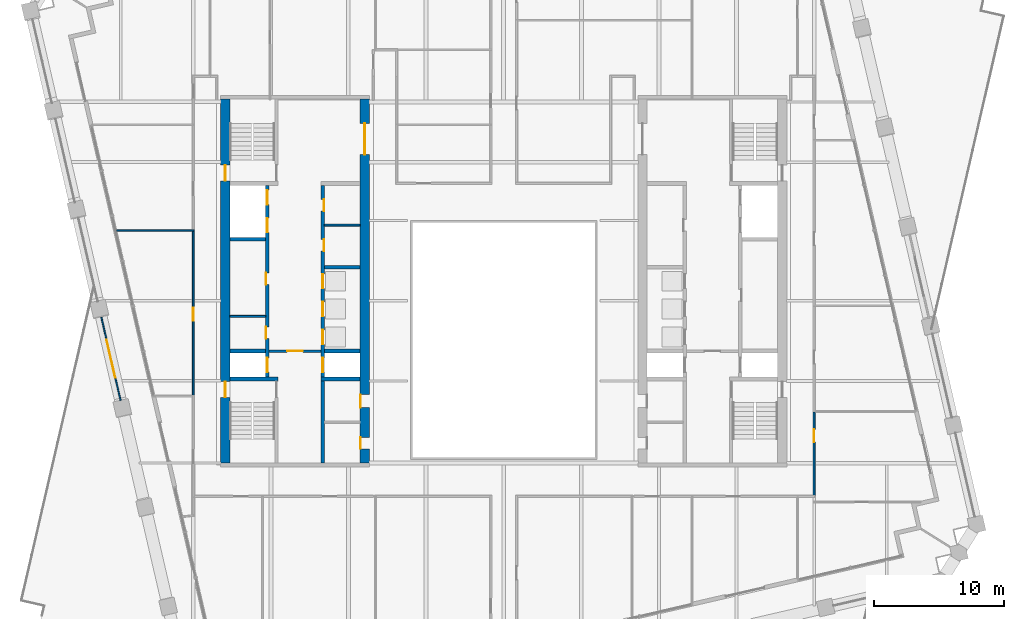
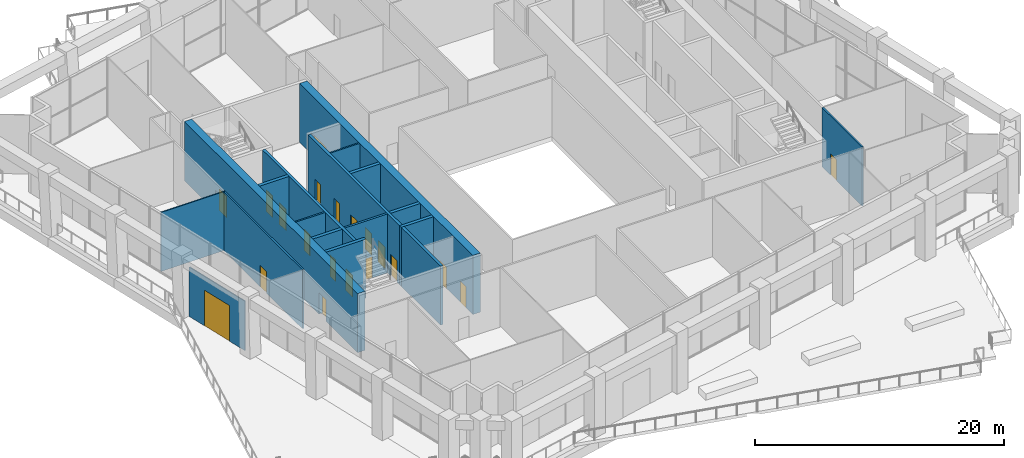
# One storey, part 13 of 24: 20 doors, 17 walls, 20 openings.
"""IFC4 building model written with IfcOpenShell, lengths in metres."""

from ifc_helpers import new_model, si_unit, direction, frame, frame_2d, origin, place, context, subcontext, project, spatial, rectangle, extrude, material, layer, layer_set, type_object, element, fill, save


model = new_model("IFC4")

# Units and contexts
model_context = context("Model", 3, precision=1e-05, world=origin(), true_north=direction((0.0, 1.0)))
body_context = subcontext(model_context, "Body", "Model", "MODEL_VIEW")
ifc_project = project(units=[si_unit("LENGTHUNIT", "METRE"), si_unit("AREAUNIT", "SQUARE_METRE"), si_unit("VOLUMEUNIT", "CUBIC_METRE"), si_unit("PLANEANGLEUNIT", "RADIAN"), si_unit("MASSUNIT", "GRAM", prefix="KILO")], contexts=[model_context])

# Site, building, storey
site_placement = place(None, origin())
site = spatial("IfcSite", under=ifc_project, at=site_placement, CompositionType="ELEMENT")
building_placement = place(site_placement, origin())
building = spatial("IfcBuilding", under=site, at=building_placement, Name="Ogive Exchange Tower", CompositionType="ELEMENT")
storey_placement = place(building_placement, frame((0.0, 0.0, 165.60009765625)))
storey = spatial("IfcBuildingStorey", under=building, at=storey_placement, Name="L36", CompositionType="ELEMENT", Elevation=165.60009765625)

# Walls
ifc_material_1 = material(Name="Gypsum board partition")
ifc_layer_1 = layer(ifc_material_1, 0.14990234375)
ifc_layer_set_1 = layer_set([ifc_layer_1], Name="Core room partition 150 gypsum")
wall_type_1 = type_object("IfcWallType", Name="Core room partition 150 gypsum", PredefinedType="PARTITIONING", material=ifc_layer_set_1)
for number, where, z_axis, x_axis, name in (
    (1, (-21.0, 8.800048828125, 0.0), (0.0, 0.0, 1.0), (1.0, 0.0, 0.0), "W row A bay partition 1-1"),
    (2, (-13.75, 15.800048828125, 0.0), (0.0, 0.0, 1.0), (1.0, 0.0, 0.0), "W row B bay partition 4-1"),
):
    element("IfcWall", number, at=place(storey_placement, frame(where, z_axis=z_axis, x_axis=x_axis)), inside=storey, type_object=wall_type_1, Name=name, PredefinedType="PARTITIONING", context=body_context, shape_type="SweptSolid", body=[
        extrude(rectangle(XDim=2.75, YDim=0.14990234375, at=frame_2d((1.375, 0.0))), origin(), (0.0, 0.0, 1.0), 5.7998046875),
    ])

# Wall, opening, door
ifc_material_2 = material(Name="Fire partition EI 60 150")
ifc_layer_2 = layer(ifc_material_2, 0.14990234375)
ifc_layer_set_2 = layer_set([ifc_layer_2], Name="Fire partition EI 60 150")
wall_type_2 = type_object("IfcWallType", Name="Fire partition EI 60 150", PredefinedType="PARTITIONING", material=ifc_layer_set_2)
wall_1_placement = place(storey_placement, frame((-23.800048828125, 2.68994140625, 0.0), z_axis=(0.0, 0.0, 1.0), x_axis=(0.0, 1.0, 0.0)))
wall_1 = element("IfcWall", 3, at=wall_1_placement, inside=storey, type_object=wall_type_2, Name="L36-PWL-006", PredefinedType="PARTITIONING", context=body_context, shape_type="SweptSolid", body=[
    extrude(rectangle(XDim=12.64013671875, YDim=0.14990234375, at=frame_2d((6.320068359375, 0.0))), origin(), (0.0, 0.0, 1.0), 5.7998046875),
])
opening_1_placement = place(wall_1_placement, frame((5.7900390625, 0.0, 0.0)))
opening_1 = element("IfcOpeningElement", 4, at=opening_1_placement, cuts=wall_1, Name="Opening L36-I01", PredefinedType="OPENING", context=body_context, shape_type="SweptSolid", body=[
    extrude(rectangle(XDim=1.0, YDim=2.10009765625, at=frame_2d((0.5, 1.050048828125))), frame((0.0, 0.0849609375, 0.0), z_axis=(0.0, -1.0, 0.0), x_axis=(1.0, 0.0, 0.0)), (0.0, 0.0, 1.0), 0.169921875),
])
ifc_material_3 = material(Name="Fire door FD 30S 1000 x 2100")
door_type_1 = type_object("IfcDoorType", Name="Fire door FD 30S 1000 x 2100", OperationType="NOTDEFINED", PredefinedType="DOOR", material=ifc_material_3)
door_1_placement = place(opening_1_placement, origin())
door_1 = element("IfcDoor", 5, at=door_1_placement, inside=storey, type_object=door_type_1, Name="L36-IDR-001", ObjectType="DT3", OperationType="SINGLE_SWING_LEFT", OverallHeight=2.10009765625, OverallWidth=1.0, PredefinedType="DOOR", context=body_context, shape_type="SweptSolid", body=[
    extrude(rectangle(XDim=1.0, YDim=2.10009765625, at=frame_2d((0.5, 1.050048828125))), frame((0.0, 0.02490234375, 0.0), z_axis=(0.0, -1.0, 0.0), x_axis=(1.0, 0.0, 0.0)), (0.0, 0.0, 1.0), 0.050048828125),
])
fill(opening_1, door_1)

wall_2_placement = place(storey_placement, frame((23.800048828125, 1.4599609375, 0.0), z_axis=(0.0, 0.0, 1.0), x_axis=(0.0, -1.0, 0.0)))
wall_2 = element("IfcWall", 6, at=wall_2_placement, inside=storey, type_object=wall_type_2, Name="L36-PWL-066", PredefinedType="PARTITIONING", context=body_context, shape_type="SweptSolid", body=[
    extrude(rectangle(XDim=6.385009765625, YDim=0.14990234375, at=frame_2d((3.1923828125, 0.0))), origin(), (0.0, 0.0, 1.0), 5.7998046875),
])
opening_2_placement = place(wall_2_placement, frame((1.31005859375, 0.0, 0.0)))
opening_2 = element("IfcOpeningElement", 7, at=opening_2_placement, cuts=wall_2, Name="Opening L36-I21", PredefinedType="OPENING", context=body_context, shape_type="SweptSolid", body=[
    extrude(rectangle(XDim=1.0, YDim=2.10009765625, at=frame_2d((0.5, 1.050048828125))), frame((0.0, 0.0849609375, 0.0), z_axis=(0.0, -1.0, 0.0), x_axis=(1.0, 0.0, 0.0)), (0.0, 0.0, 1.0), 0.169921875),
])
door_2_placement = place(opening_2_placement, origin())
door_2 = element("IfcDoor", 8, at=door_2_placement, inside=storey, type_object=door_type_1, Name="L36-IDR-021", ObjectType="DT3", OperationType="SINGLE_SWING_RIGHT", OverallHeight=2.10009765625, OverallWidth=1.0, PredefinedType="DOOR", context=body_context, shape_type="SweptSolid", body=[
    extrude(rectangle(XDim=1.0, YDim=2.10009765625, at=frame_2d((0.5, 1.050048828125))), frame((0.0, 0.02490234375, 0.0), z_axis=(0.0, -1.0, 0.0), x_axis=(1.0, 0.0, 0.0)), (0.0, 0.0, 1.0), 0.050048828125),
])
fill(opening_2, door_2)

ifc_material_4 = material(Name="Laminated safety glass in steel frame", Category="steel")
ifc_layer_3 = layer(ifc_material_4, 0.10009765625)
ifc_layer_set_3 = layer_set([ifc_layer_3], Name="Loggia end screen 100")
wall_type_3 = type_object("IfcWallType", Name="Loggia end screen 100", PredefinedType="STANDARD", material=ifc_layer_set_3)
wall_3_placement = place(storey_placement, frame((-30.845947265625, 8.744873046875, 0.0), z_axis=(0.0, 0.0, 1.0), x_axis=(0.224973663593, -0.974364844752, 0.0)))
wall_3 = element("IfcWall", 9, at=wall_3_placement, inside=storey, type_object=wall_type_3, Name="Terrace screen W03", PredefinedType="STANDARD", context=body_context, shape_type="SweptSolid", body=[
    extrude(rectangle(XDim=6.56005859375, YDim=0.10009765625, at=frame_2d((3.280029296875, 0.0))), origin(), (0.0, 0.0, 1.0), 4.849853515625),
])
opening_3_placement = place(wall_3_placement, frame((1.780029296875, 0.0, 0.0)))
opening_3 = element("IfcOpeningElement", 10, at=opening_3_placement, cuts=wall_3, Name="Opening D4", PredefinedType="OPENING", context=body_context, shape_type="SweptSolid", body=[
    extrude(rectangle(XDim=3.0, YDim=3.5, at=frame_2d((1.5, 1.75))), frame((0.0, 0.06005859375, 0.0), z_axis=(0.0, -1.0, 0.0), x_axis=(1.0, 0.0, 0.0)), (0.0, 0.0, 1.0), 0.1201171875),
])
ifc_material_5 = material(Name="Clear glass in bronze frame", Category="glass")
door_type_2 = type_object("IfcDoorType", Name="Terrace sliding door 3000 x 3500", OperationType="DOUBLE_DOOR_SLIDING", PredefinedType="DOOR", material=ifc_material_5)
door_3_placement = place(opening_3_placement, origin())
door_3 = element("IfcDoor", 11, at=door_3_placement, inside=storey, type_object=door_type_2, Name="Terrace door W03", OperationType="DOUBLE_DOOR_SLIDING", OverallHeight=3.5, OverallWidth=3.0, PredefinedType="DOOR", context=body_context, shape_type="SweptSolid", body=[
    extrude(rectangle(XDim=3.0, YDim=3.5, at=frame_2d((1.5, 1.75))), frame((0.0, 0.02490234375, 0.0), z_axis=(0.0, -1.0, 0.0), x_axis=(1.0, 0.0, 0.0)), (0.0, 0.0, 1.0), 0.050048828125),
])
fill(opening_3, door_3)

# Wall
ifc_material_6 = material(Name="Partition 100 gypsum")
ifc_layer_4 = layer(ifc_material_6, 0.10009765625)
ifc_layer_set_4 = layer_set([ifc_layer_4], Name="Partition 100 gypsum")
wall_type_4 = type_object("IfcWallType", Name="Partition 100 gypsum", PredefinedType="PARTITIONING", material=ifc_layer_set_4)
wall_4_placement = place(storey_placement, frame((-29.68896484375, 15.3798828125, 0.0), z_axis=(0.0, 0.0, 1.0), x_axis=(1.0, 0.0, 0.0)))
element("IfcWall", 12, at=wall_4_placement, inside=storey, type_object=wall_type_4, Name="L36-PWL-002", PredefinedType="PARTITIONING", context=body_context, shape_type="SweptSolid", body=[
    extrude(rectangle(XDim=5.9638671875, YDim=0.10009765625, at=frame_2d((2.98193359375, 0.0))), origin(), (0.0, 0.0, 1.0), 5.7998046875),
])

# Wall, opening, door
ifc_material_7 = material(Name="Concrete C70/85", Category="concrete")
ifc_layer_5 = layer(ifc_material_7, 0.199951171875)
ifc_layer_set_5 = layer_set([ifc_layer_5], Name="RC core wall 200 C70/85")
wall_type_5 = type_object("IfcWallType", Name="RC core wall 200 C70/85", PredefinedType="SHEAR", material=ifc_layer_set_5)
wall_5_placement = place(storey_placement, frame((-18.0, 6.142822265625, 0.0), z_axis=(0.0, 0.0, 1.0), x_axis=(1.0, 0.0, 0.0)))
wall_5 = element("IfcWall", 13, at=wall_5_placement, inside=storey, type_object=wall_type_5, Name="W firefighting lobby wall", PredefinedType="SHEAR", context=body_context, shape_type="SweptSolid", body=[
    extrude(rectangle(XDim=4.0, YDim=0.199951171875, at=frame_2d((2.0, 0.0))), origin(), (0.0, 0.0, 1.0), 5.7998046875),
])
opening_4_placement = place(wall_5_placement, frame((1.39990234375, 0.0, 0.0)))
opening_4 = element("IfcOpeningElement", 14, at=opening_4_placement, cuts=wall_5, Name="Opening L36-C12", PredefinedType="OPENING", context=body_context, shape_type="SweptSolid", body=[
    extrude(rectangle(XDim=1.199951171875, YDim=2.10009765625, at=frame_2d((0.60009765625, 1.050048828125))), frame((0.0, 0.10986328125, 0.0), z_axis=(0.0, -1.0, 0.0), x_axis=(1.0, 0.0, 0.0)), (0.0, 0.0, 1.0), 0.219970703125),
])
ifc_material_8 = material(Name="Steel fire door", Category="steel")
door_type_3 = type_object("IfcDoorType", Name="Firefighting lobby door FD60 1200 x 2100", OperationType="NOTDEFINED", PredefinedType="DOOR", material=ifc_material_8)
door_4_placement = place(opening_4_placement, frame((1.199951171875, 0.0, 0.0), z_axis=(0.0, 0.0, 1.0), x_axis=(-1.0, 0.0, 0.0)))
door_4 = element("IfcDoor", 15, at=door_4_placement, inside=storey, type_object=door_type_3, Name="Firefighting lobby door", ObjectType="CD3", OperationType="SINGLE_SWING_LEFT", OverallHeight=2.10009765625, OverallWidth=1.199951171875, PredefinedType="DOOR", context=body_context, shape_type="SweptSolid", body=[
    extrude(rectangle(XDim=1.199951171875, YDim=2.10009765625, at=frame_2d((0.60009765625, 1.050048828125))), frame((0.0, 0.02490234375, 0.0), z_axis=(0.0, -1.0, 0.0), x_axis=(1.0, 0.0, 0.0)), (0.0, 0.0, 1.0), 0.050048828125),
])
fill(opening_4, door_4)

# Wall, openings, doors
ifc_layer_6 = layer(ifc_material_7, 0.25)
ifc_layer_set_6 = layer_set([ifc_layer_6], Name="RC core wall 250 C70/85")
wall_type_6 = type_object("IfcWallType", Name="RC core wall 250 C70/85", PredefinedType="SHEAR", material=ifc_layer_set_6)
wall_6_placement = place(storey_placement, frame((-18.125, 4.14990234375, 0.0), z_axis=(0.0, 0.0, 1.0), x_axis=(0.0, 1.0, 0.0)))
wall_6 = element("IfcWall", 16, at=wall_6_placement, inside=storey, type_object=wall_type_6, Name="W row A front wall", PredefinedType="SHEAR", context=body_context, shape_type="SweptSolid", body=[
    extrude(rectangle(XDim=14.7001953125, YDim=0.25, at=frame_2d((7.35009765625, 0.0))), origin(), (0.0, 0.0, 1.0), 5.7998046875),
])
opening_5_placement = place(wall_6_placement, frame((2.9462890625, 0.0, 0.0)))
opening_5 = element("IfcOpeningElement", 17, at=opening_5_placement, cuts=wall_6, Name="Opening L36-C01", PredefinedType="OPENING", context=body_context, shape_type="SweptSolid", body=[
    extrude(rectangle(XDim=0.89990234375, YDim=2.10009765625, at=frame_2d((0.449951171875, 1.050048828125))), frame((0.0, 0.135009765625, 0.0), z_axis=(0.0, -1.0, 0.0), x_axis=(1.0, 0.0, 0.0)), (0.0, 0.0, 1.0), 0.27001953125),
])
opening_6_placement = place(wall_6_placement, frame((7.08203125, 0.0, 0.0)))
opening_6 = element("IfcOpeningElement", 18, at=opening_6_placement, cuts=wall_6, Name="Opening L36-C02", PredefinedType="OPENING", context=body_context, shape_type="SweptSolid", body=[
    extrude(rectangle(XDim=0.89990234375, YDim=2.10009765625, at=frame_2d((0.449951171875, 1.050048828125))), frame((0.0, 0.135009765625, 0.0), z_axis=(0.0, -1.0, 0.0), x_axis=(1.0, 0.0, 0.0)), (0.0, 0.0, 1.0), 0.27001953125),
])
opening_7_placement = place(wall_6_placement, frame((0.371337890625, 0.0, 0.0)))
opening_7 = element("IfcOpeningElement", 19, at=opening_7_placement, cuts=wall_6, Name="Opening L36-C03", PredefinedType="OPENING", context=body_context, shape_type="SweptSolid", body=[
    extrude(rectangle(XDim=1.10009765625, YDim=2.10009765625, at=frame_2d((0.550048828125, 1.050048828125))), frame((0.0, 0.135009765625, 0.0), z_axis=(0.0, -1.0, 0.0), x_axis=(1.0, 0.0, 0.0)), (0.0, 0.0, 1.0), 0.27001953125),
])
opening_8_placement = place(wall_6_placement, frame((11.085693359375, 0.0, 0.0)))
opening_8 = element("IfcOpeningElement", 20, at=opening_8_placement, cuts=wall_6, Name="Opening L36-C04", PredefinedType="OPENING", context=body_context, shape_type="SweptSolid", body=[
    extrude(rectangle(XDim=1.10009765625, YDim=2.10009765625, at=frame_2d((0.550048828125, 1.050048828125))), frame((0.0, 0.135009765625, 0.0), z_axis=(0.0, -1.0, 0.0), x_axis=(1.0, 0.0, 0.0)), (0.0, 0.0, 1.0), 0.27001953125),
])
opening_9_placement = place(wall_6_placement, frame((13.228515625, 0.0, 0.0)))
opening_9 = element("IfcOpeningElement", 21, at=opening_9_placement, cuts=wall_6, Name="Opening L36-C05", PredefinedType="OPENING", context=body_context, shape_type="SweptSolid", body=[
    extrude(rectangle(XDim=1.10009765625, YDim=2.10009765625, at=frame_2d((0.550048828125, 1.050048828125))), frame((0.0, 0.135009765625, 0.0), z_axis=(0.0, -1.0, 0.0), x_axis=(1.0, 0.0, 0.0)), (0.0, 0.0, 1.0), 0.27001953125),
])
ifc_material_9 = material(Name="Stainless steel", Category="steel")
door_type_4 = type_object("IfcDoorType", Name="Lift landing door FD90 1100 x 2100", OperationType="SLIDING_TO_LEFT", PredefinedType="DOOR", material=ifc_material_9)
door_5_placement = place(opening_7_placement, origin())
door_5 = element("IfcDoor", 22, at=door_5_placement, inside=storey, type_object=door_type_4, Name="Lift landing door FF1", ObjectType="LD", OperationType="SLIDING_TO_LEFT", OverallHeight=2.10009765625, OverallWidth=1.10009765625, PredefinedType="DOOR", context=body_context, shape_type="SweptSolid", body=[
    extrude(rectangle(XDim=1.10009765625, YDim=2.10009765625, at=frame_2d((0.550048828125, 1.050048828125))), frame((0.0, 0.02490234375, 0.0), z_axis=(0.0, -1.0, 0.0), x_axis=(1.0, 0.0, 0.0)), (0.0, 0.0, 1.0), 0.050048828125),
])
fill(opening_7, door_5)
door_6_placement = place(opening_8_placement, origin())
door_6 = element("IfcDoor", 23, at=door_6_placement, inside=storey, type_object=door_type_4, Name="Lift landing door W-SH1", ObjectType="LD", OperationType="SLIDING_TO_LEFT", OverallHeight=2.10009765625, OverallWidth=1.10009765625, PredefinedType="DOOR", context=body_context, shape_type="SweptSolid", body=[
    extrude(rectangle(XDim=1.10009765625, YDim=2.10009765625, at=frame_2d((0.550048828125, 1.050048828125))), frame((0.0, 0.02490234375, 0.0), z_axis=(0.0, -1.0, 0.0), x_axis=(1.0, 0.0, 0.0)), (0.0, 0.0, 1.0), 0.050048828125),
])
fill(opening_8, door_6)
door_7_placement = place(opening_9_placement, origin())
door_7 = element("IfcDoor", 24, at=door_7_placement, inside=storey, type_object=door_type_4, Name="Lift landing door W-SH2", ObjectType="LD", OperationType="SLIDING_TO_LEFT", OverallHeight=2.10009765625, OverallWidth=1.10009765625, PredefinedType="DOOR", context=body_context, shape_type="SweptSolid", body=[
    extrude(rectangle(XDim=1.10009765625, YDim=2.10009765625, at=frame_2d((0.550048828125, 1.050048828125))), frame((0.0, 0.02490234375, 0.0), z_axis=(0.0, -1.0, 0.0), x_axis=(1.0, 0.0, 0.0)), (0.0, 0.0, 1.0), 0.050048828125),
])
fill(opening_9, door_7)
door_type_5 = type_object("IfcDoorType", Name="Riser door FD60 900 x 2100", OperationType="NOTDEFINED", PredefinedType="DOOR", material=ifc_material_8)
door_8_placement = place(opening_5_placement, origin())
door_8 = element("IfcDoor", 25, at=door_8_placement, inside=storey, type_object=door_type_5, Name="Riser door", ObjectType="CD2", OperationType="SINGLE_SWING_LEFT", OverallHeight=2.10009765625, OverallWidth=0.89990234375, PredefinedType="DOOR", context=body_context, shape_type="SweptSolid", body=[
    extrude(rectangle(XDim=0.89990234375, YDim=2.10009765625, at=frame_2d((0.449951171875, 1.050048828125))), frame((0.0, 0.125, 0.0), z_axis=(0.0, -1.0, 0.0), x_axis=(1.0, 0.0, 0.0)), (0.0, 0.0, 1.0), 0.050048828125),
])
fill(opening_5, door_8)
door_9_placement = place(opening_6_placement, origin())
door_9 = element("IfcDoor", 26, at=door_9_placement, inside=storey, type_object=door_type_5, Name="Riser door", ObjectType="CD2", OperationType="SINGLE_SWING_LEFT", OverallHeight=2.10009765625, OverallWidth=0.89990234375, PredefinedType="DOOR", context=body_context, shape_type="SweptSolid", body=[
    extrude(rectangle(XDim=0.89990234375, YDim=2.10009765625, at=frame_2d((0.449951171875, 1.050048828125))), frame((0.0, 0.125, 0.0), z_axis=(0.0, -1.0, 0.0), x_axis=(1.0, 0.0, 0.0)), (0.0, 0.0, 1.0), 0.050048828125),
])
fill(opening_6, door_9)

wall_7_placement = place(storey_placement, frame((-13.875, -2.449951171875, 0.0), z_axis=(0.0, 0.0, 1.0), x_axis=(0.0, 1.0, 0.0)))
wall_7 = element("IfcWall", 27, at=wall_7_placement, inside=storey, type_object=wall_type_6, Name="W row B front wall", PredefinedType="SHEAR", context=body_context, shape_type="SweptSolid", body=[
    extrude(rectangle(XDim=21.300048828125, YDim=0.25, at=frame_2d((10.64990234375, 0.0))), origin(), (0.0, 0.0, 1.0), 5.7998046875),
])
opening_10_placement = place(wall_7_placement, frame((16.2607421875, 0.0, 0.0)))
opening_10 = element("IfcOpeningElement", 28, at=opening_10_placement, cuts=wall_7, Name="Opening L36-C06", PredefinedType="OPENING", context=body_context, shape_type="SweptSolid", body=[
    extrude(rectangle(XDim=0.89990234375, YDim=2.10009765625, at=frame_2d((0.449951171875, 1.050048828125))), frame((0.0, 0.135009765625, 0.0), z_axis=(0.0, -1.0, 0.0), x_axis=(1.0, 0.0, 0.0)), (0.0, 0.0, 1.0), 0.27001953125),
])
opening_11_placement = place(wall_7_placement, frame((19.324951171875, 0.0, 0.0)))
opening_11 = element("IfcOpeningElement", 29, at=opening_11_placement, cuts=wall_7, Name="Opening L36-C07", PredefinedType="OPENING", context=body_context, shape_type="SweptSolid", body=[
    extrude(rectangle(XDim=0.89990234375, YDim=2.10009765625, at=frame_2d((0.449951171875, 1.050048828125))), frame((0.0, 0.135009765625, 0.0), z_axis=(0.0, -1.0, 0.0), x_axis=(1.0, 0.0, 0.0)), (0.0, 0.0, 1.0), 0.27001953125),
])
opening_12_placement = place(wall_7_placement, frame((6.971435546875, 0.0, 0.0)))
opening_12 = element("IfcOpeningElement", 30, at=opening_12_placement, cuts=wall_7, Name="Opening L36-C08", PredefinedType="OPENING", context=body_context, shape_type="SweptSolid", body=[
    extrude(rectangle(XDim=1.10009765625, YDim=2.10009765625, at=frame_2d((0.550048828125, 1.050048828125))), frame((0.0, 0.135009765625, 0.0), z_axis=(0.0, -1.0, 0.0), x_axis=(1.0, 0.0, 0.0)), (0.0, 0.0, 1.0), 0.27001953125),
])
opening_13_placement = place(wall_7_placement, frame((9.1142578125, 0.0, 0.0)))
opening_13 = element("IfcOpeningElement", 31, at=opening_13_placement, cuts=wall_7, Name="Opening L36-C09", PredefinedType="OPENING", context=body_context, shape_type="SweptSolid", body=[
    extrude(rectangle(XDim=1.10009765625, YDim=2.10009765625, at=frame_2d((0.550048828125, 1.050048828125))), frame((0.0, 0.135009765625, 0.0), z_axis=(0.0, -1.0, 0.0), x_axis=(1.0, 0.0, 0.0)), (0.0, 0.0, 1.0), 0.27001953125),
])
opening_14_placement = place(wall_7_placement, frame((11.257080078125, 0.0, 0.0)))
opening_14 = element("IfcOpeningElement", 32, at=opening_14_placement, cuts=wall_7, Name="Opening L36-C10", PredefinedType="OPENING", context=body_context, shape_type="SweptSolid", body=[
    extrude(rectangle(XDim=1.10009765625, YDim=2.10009765625, at=frame_2d((0.550048828125, 1.050048828125))), frame((0.0, 0.135009765625, 0.0), z_axis=(0.0, -1.0, 0.0), x_axis=(1.0, 0.0, 0.0)), (0.0, 0.0, 1.0), 0.27001953125),
])
opening_15_placement = place(wall_7_placement, frame((13.39990234375, 0.0, 0.0)))
opening_15 = element("IfcOpeningElement", 33, at=opening_15_placement, cuts=wall_7, Name="Opening L36-C11", PredefinedType="OPENING", context=body_context, shape_type="SweptSolid", body=[
    extrude(rectangle(XDim=1.10009765625, YDim=2.10009765625, at=frame_2d((0.550048828125, 1.050048828125))), frame((0.0, 0.135009765625, 0.0), z_axis=(0.0, -1.0, 0.0), x_axis=(1.0, 0.0, 0.0)), (0.0, 0.0, 1.0), 0.27001953125),
])
ifc_material_10 = material(Name="Timber fire door", Category="wood")
door_type_6 = type_object("IfcDoorType", Name="Core room door FD30S 900 x 2100", OperationType="NOTDEFINED", PredefinedType="DOOR", material=ifc_material_10)
door_10_placement = place(opening_11_placement, frame((0.89990234375, -0.2001953125, 0.0), z_axis=(0.0, 0.0, 1.0), x_axis=(-1.0, 0.0, 0.0)))
door_10 = element("IfcDoor", 34, at=door_10_placement, inside=storey, type_object=door_type_6, Name="Core room door", ObjectType="CD6", OperationType="SINGLE_SWING_LEFT", OverallHeight=2.10009765625, OverallWidth=0.89990234375, PredefinedType="DOOR", context=body_context, shape_type="SweptSolid", body=[
    extrude(rectangle(XDim=0.89990234375, YDim=2.10009765625, at=frame_2d((0.449951171875, 1.050048828125))), frame((0.0, -0.0751953125, 0.0), z_axis=(0.0, -1.0, 0.0), x_axis=(1.0, 0.0, 0.0)), (0.0, 0.0, 1.0), 0.050048828125),
])
fill(opening_11, door_10)
door_11_placement = place(opening_12_placement, origin())
door_11 = element("IfcDoor", 35, at=door_11_placement, inside=storey, type_object=door_type_4, Name="Lift landing door SV1", ObjectType="LD", OperationType="SLIDING_TO_LEFT", OverallHeight=2.10009765625, OverallWidth=1.10009765625, PredefinedType="DOOR", context=body_context, shape_type="SweptSolid", body=[
    extrude(rectangle(XDim=1.10009765625, YDim=2.10009765625, at=frame_2d((0.550048828125, 1.050048828125))), frame((0.0, 0.02490234375, 0.0), z_axis=(0.0, -1.0, 0.0), x_axis=(1.0, 0.0, 0.0)), (0.0, 0.0, 1.0), 0.050048828125),
])
fill(opening_12, door_11)
door_12_placement = place(opening_13_placement, origin())
door_12 = element("IfcDoor", 36, at=door_12_placement, inside=storey, type_object=door_type_4, Name="Lift landing door W-M1", ObjectType="LD", OperationType="SLIDING_TO_LEFT", OverallHeight=2.10009765625, OverallWidth=1.10009765625, PredefinedType="DOOR", context=body_context, shape_type="SweptSolid", body=[
    extrude(rectangle(XDim=1.10009765625, YDim=2.10009765625, at=frame_2d((0.550048828125, 1.050048828125))), frame((0.0, 0.02490234375, 0.0), z_axis=(0.0, -1.0, 0.0), x_axis=(1.0, 0.0, 0.0)), (0.0, 0.0, 1.0), 0.050048828125),
])
fill(opening_13, door_12)
door_13_placement = place(opening_14_placement, origin())
door_13 = element("IfcDoor", 37, at=door_13_placement, inside=storey, type_object=door_type_4, Name="Lift landing door W-M2", ObjectType="LD", OperationType="SLIDING_TO_LEFT", OverallHeight=2.10009765625, OverallWidth=1.10009765625, PredefinedType="DOOR", context=body_context, shape_type="SweptSolid", body=[
    extrude(rectangle(XDim=1.10009765625, YDim=2.10009765625, at=frame_2d((0.550048828125, 1.050048828125))), frame((0.0, 0.02490234375, 0.0), z_axis=(0.0, -1.0, 0.0), x_axis=(1.0, 0.0, 0.0)), (0.0, 0.0, 1.0), 0.050048828125),
])
fill(opening_14, door_13)
door_14_placement = place(opening_15_placement, origin())
door_14 = element("IfcDoor", 38, at=door_14_placement, inside=storey, type_object=door_type_4, Name="Lift landing door W-M3", ObjectType="LD", OperationType="SLIDING_TO_LEFT", OverallHeight=2.10009765625, OverallWidth=1.10009765625, PredefinedType="DOOR", context=body_context, shape_type="SweptSolid", body=[
    extrude(rectangle(XDim=1.10009765625, YDim=2.10009765625, at=frame_2d((0.550048828125, 1.050048828125))), frame((0.0, 0.02490234375, 0.0), z_axis=(0.0, -1.0, 0.0), x_axis=(1.0, 0.0, 0.0)), (0.0, 0.0, 1.0), 0.050048828125),
])
fill(opening_15, door_14)
door_15_placement = place(opening_10_placement, frame((0.89990234375, -0.2001953125, 0.0), z_axis=(0.0, 0.0, 1.0), x_axis=(-1.0, 0.0, 0.0)))
door_15 = element("IfcDoor", 39, at=door_15_placement, inside=storey, type_object=door_type_5, Name="Riser door", ObjectType="CD2", OperationType="SINGLE_SWING_LEFT", OverallHeight=2.10009765625, OverallWidth=0.89990234375, PredefinedType="DOOR", context=body_context, shape_type="SweptSolid", body=[
    extrude(rectangle(XDim=0.89990234375, YDim=2.10009765625, at=frame_2d((0.449951171875, 1.050048828125))), frame((0.0, -0.0751953125, 0.0), z_axis=(0.0, -1.0, 0.0), x_axis=(1.0, 0.0, 0.0)), (0.0, 0.0, 1.0), 0.050048828125),
])
fill(opening_10, door_15)

# Walls
ifc_layer_7 = layer(ifc_material_7, 0.300048828125)
ifc_layer_set_7 = layer_set([ifc_layer_7], Name="RC core wall 300 C70/85")
wall_type_7 = type_object("IfcWallType", Name="RC core wall 300 C70/85", PredefinedType="SHEAR", material=ifc_layer_set_7)
wall_8_placement = place(storey_placement, frame((-21.0, 4.0, 0.0), z_axis=(0.0, 0.0, 1.0), x_axis=(1.0, 0.0, 0.0)))
element("IfcWall", 40, at=wall_8_placement, inside=storey, type_object=wall_type_7, Name="W stair S north wall", PredefinedType="SHEAR", context=body_context, shape_type="SweptSolid", body=[
    extrude(rectangle(XDim=3.699951171875, YDim=0.300048828125, at=frame_2d((1.85009765625, 0.0))), origin(), (0.0, 0.0, 1.0), 5.7998046875),
])
for number, where, z_axis, x_axis, name in (
    (41, (-21.0, 6.142822265625, 0.0), (0.0, 0.0, 1.0), (1.0, 0.0, 0.0), "W row A divider 1"),
    (42, (-21.0, 14.71435546875, 0.0), (0.0, 0.0, 1.0), (1.0, 0.0, 0.0), "W row A divider 5"),
):
    element("IfcWall", number, at=place(storey_placement, frame(where, z_axis=z_axis, x_axis=x_axis)), inside=storey, type_object=wall_type_7, Name=name, PredefinedType="SHEAR", context=body_context, shape_type="SweptSolid", body=[
        extrude(rectangle(XDim=2.75, YDim=0.300048828125, at=frame_2d((1.375, 0.0))), origin(), (0.0, 0.0, 1.0), 5.7998046875),
    ])
wall_9_placement = place(storey_placement, frame((-14.0, 4.0, 0.0), z_axis=(0.0, 0.0, 1.0), x_axis=(1.0, 0.0, 0.0)))
element("IfcWall", 43, at=wall_9_placement, inside=storey, type_object=wall_type_7, Name="W row B divider 0", PredefinedType="SHEAR", context=body_context, shape_type="SweptSolid", body=[
    extrude(rectangle(XDim=3.0, YDim=0.300048828125, at=frame_2d((1.5, 0.0))), origin(), (0.0, 0.0, 1.0), 5.7998046875),
])
for number, where, z_axis, x_axis, name in (
    (44, (-13.75, 6.142822265625, 0.0), (0.0, 0.0, 1.0), (1.0, 0.0, 0.0), "W row B divider 1"),
    (45, (-13.75, 12.5712890625, 0.0), (0.0, 0.0, 1.0), (1.0, 0.0, 0.0), "W row B divider 4"),
):
    element("IfcWall", number, at=place(storey_placement, frame(where, z_axis=z_axis, x_axis=x_axis)), inside=storey, type_object=wall_type_7, Name=name, PredefinedType="SHEAR", context=body_context, shape_type="SweptSolid", body=[
        extrude(rectangle(XDim=2.75, YDim=0.300048828125, at=frame_2d((1.375, 0.0))), origin(), (0.0, 0.0, 1.0), 5.7998046875),
    ])

# Wall, openings, doors
ifc_layer_8 = layer(ifc_material_7, 0.699951171875)
ifc_layer_set_8 = layer_set([ifc_layer_8], Name="RC core wall 700 C70/85")
wall_type_8 = type_object("IfcWallType", Name="RC core wall 700 C70/85", PredefinedType="SHEAR", material=ifc_layer_set_8)
wall_10_placement = place(storey_placement, frame((-21.35009765625, -2.449951171875, 0.0), z_axis=(0.0, 0.0, 1.0), x_axis=(0.0, 1.0, 0.0)))
wall_10 = element("IfcWall", 46, at=wall_10_placement, inside=storey, type_object=wall_type_8, Name="W outer wall", PredefinedType="SHEAR", context=body_context, shape_type="SweptSolid", body=[
    extrude(rectangle(XDim=27.89990234375, YDim=0.699951171875, at=frame_2d((13.949951171875, 0.0))), origin(), (0.0, 0.0, 1.0), 5.7998046875),
])
opening_16_placement = place(wall_10_placement, frame((5.050048828125, 0.0, 0.0)))
opening_16 = element("IfcOpeningElement", 47, at=opening_16_placement, cuts=wall_10, Name="Opening L36-C15", PredefinedType="OPENING", context=body_context, shape_type="SweptSolid", body=[
    extrude(rectangle(XDim=1.199951171875, YDim=2.10009765625, at=frame_2d((0.60009765625, 1.050048828125))), frame((0.0, 0.35986328125, 0.0), z_axis=(0.0, -1.0, 0.0), x_axis=(1.0, 0.0, 0.0)), (0.0, 0.0, 1.0), 0.719970703125),
])
opening_17_placement = place(wall_10_placement, frame((21.64990234375, 0.0, 0.0)))
opening_17 = element("IfcOpeningElement", 48, at=opening_17_placement, cuts=wall_10, Name="Opening L36-C17", PredefinedType="OPENING", context=body_context, shape_type="SweptSolid", body=[
    extrude(rectangle(XDim=1.199951171875, YDim=2.10009765625, at=frame_2d((0.60009765625, 1.050048828125))), frame((0.0, 0.35986328125, 0.0), z_axis=(0.0, -1.0, 0.0), x_axis=(1.0, 0.0, 0.0)), (0.0, 0.0, 1.0), 0.719970703125),
])
door_type_7 = type_object("IfcDoorType", Name="Stair door FD90 1200 x 2100", OperationType="NOTDEFINED", PredefinedType="DOOR", material=ifc_material_8)
door_16_placement = place(opening_16_placement, frame((1.199951171875, 0.0, 0.0), z_axis=(0.0, 0.0, 1.0), x_axis=(-1.0, 0.0, 0.0)))
door_16 = element("IfcDoor", 49, at=door_16_placement, inside=storey, type_object=door_type_7, Name="Stair door", ObjectType="CD5", OperationType="SINGLE_SWING_RIGHT", OverallHeight=2.10009765625, OverallWidth=1.199951171875, PredefinedType="DOOR", context=body_context, shape_type="SweptSolid", body=[
    extrude(rectangle(XDim=1.199951171875, YDim=2.10009765625, at=frame_2d((0.60009765625, 1.050048828125))), frame((0.0, 0.02490234375, 0.0), z_axis=(0.0, -1.0, 0.0), x_axis=(1.0, 0.0, 0.0)), (0.0, 0.0, 1.0), 0.050048828125),
])
fill(opening_16, door_16)
door_17_placement = place(opening_17_placement, frame((1.199951171875, 0.0, 0.0), z_axis=(0.0, 0.0, 1.0), x_axis=(-1.0, 0.0, 0.0)))
door_17 = element("IfcDoor", 50, at=door_17_placement, inside=storey, type_object=door_type_7, Name="Stair door", ObjectType="CD5", OperationType="SINGLE_SWING_LEFT", OverallHeight=2.10009765625, OverallWidth=1.199951171875, PredefinedType="DOOR", context=body_context, shape_type="SweptSolid", body=[
    extrude(rectangle(XDim=1.199951171875, YDim=2.10009765625, at=frame_2d((0.60009765625, 1.050048828125))), frame((0.0, 0.02490234375, 0.0), z_axis=(0.0, -1.0, 0.0), x_axis=(1.0, 0.0, 0.0)), (0.0, 0.0, 1.0), 0.050048828125),
])
fill(opening_17, door_17)

wall_11_placement = place(storey_placement, frame((-10.64990234375, -2.449951171875, 0.0), z_axis=(0.0, 0.0, 1.0), x_axis=(0.0, 1.0, 0.0)))
wall_11 = element("IfcWall", 51, at=wall_11_placement, inside=storey, type_object=wall_type_8, Name="W inner wall", PredefinedType="SHEAR", context=body_context, shape_type="SweptSolid", body=[
    extrude(rectangle(XDim=27.89990234375, YDim=0.699951171875, at=frame_2d((13.949951171875, 0.0))), origin(), (0.0, 0.0, 1.0), 5.7998046875),
])
opening_18_placement = place(wall_11_placement, frame((23.64990234375, 0.0, 0.0)))
opening_18 = element("IfcOpeningElement", 52, at=opening_18_placement, cuts=wall_11, Name="Opening L36-C13", PredefinedType="OPENING", context=body_context, shape_type="SweptSolid", body=[
    extrude(rectangle(XDim=2.39990234375, YDim=2.10009765625, at=frame_2d((1.199951171875, 1.050048828125))), frame((0.0, 0.35986328125, 0.0), z_axis=(0.0, -1.0, 0.0), x_axis=(1.0, 0.0, 0.0)), (0.0, 0.0, 1.0), 0.719970703125),
])
opening_19_placement = place(wall_11_placement, frame((1.08740234375, 0.0, 0.0)))
opening_19 = element("IfcOpeningElement", 53, at=opening_19_placement, cuts=wall_11, Name="Opening L36-C18", PredefinedType="OPENING", context=body_context, shape_type="SweptSolid", body=[
    extrude(rectangle(XDim=0.89990234375, YDim=2.10009765625, at=frame_2d((0.449951171875, 1.050048828125))), frame((0.0, 0.35986328125, 0.0), z_axis=(0.0, -1.0, 0.0), x_axis=(1.0, 0.0, 0.0)), (0.0, 0.0, 1.0), 0.719970703125),
])
opening_20_placement = place(wall_11_placement, frame((4.262451171875, 0.0, 0.0)))
opening_20 = element("IfcOpeningElement", 54, at=opening_20_placement, cuts=wall_11, Name="Opening L36-C19", PredefinedType="OPENING", context=body_context, shape_type="SweptSolid", body=[
    extrude(rectangle(XDim=1.0, YDim=2.10009765625, at=frame_2d((0.5, 1.050048828125))), frame((0.0, 0.35986328125, 0.0), z_axis=(0.0, -1.0, 0.0), x_axis=(1.0, 0.0, 0.0)), (0.0, 0.0, 1.0), 0.719970703125),
])
door_type_8 = type_object("IfcDoorType", Name="Accessible WC door FD30S 1000 x 2100", OperationType="NOTDEFINED", PredefinedType="DOOR", material=ifc_material_10)
door_18_placement = place(opening_20_placement, origin())
door_18 = element("IfcDoor", 55, at=door_18_placement, inside=storey, type_object=door_type_8, Name="Accessible WC door", ObjectType="CD7", OperationType="SINGLE_SWING_RIGHT", OverallHeight=2.10009765625, OverallWidth=1.0, PredefinedType="DOOR", context=body_context, shape_type="SweptSolid", body=[
    extrude(rectangle(XDim=1.0, YDim=2.10009765625, at=frame_2d((0.5, 1.050048828125))), frame((0.0, 0.35009765625, 0.0), z_axis=(0.0, -1.0, 0.0), x_axis=(1.0, 0.0, 0.0)), (0.0, 0.0, 1.0), 0.050048828125),
])
fill(opening_20, door_18)
door_19_placement = place(opening_19_placement, origin())
door_19 = element("IfcDoor", 56, at=door_19_placement, inside=storey, type_object=door_type_6, Name="Core room door", ObjectType="CD6", OperationType="SINGLE_SWING_RIGHT", OverallHeight=2.10009765625, OverallWidth=0.89990234375, PredefinedType="DOOR", context=body_context, shape_type="SweptSolid", body=[
    extrude(rectangle(XDim=0.89990234375, YDim=2.10009765625, at=frame_2d((0.449951171875, 1.050048828125))), frame((0.0, 0.35009765625, 0.0), z_axis=(0.0, -1.0, 0.0), x_axis=(1.0, 0.0, 0.0)), (0.0, 0.0, 1.0), 0.050048828125),
])
fill(opening_19, door_19)
ifc_material_11 = material(Name="Glazed steel fire door", Category="steel")
door_type_9 = type_object("IfcDoorType", Name="Lift lobby double door FD60 2400 x 2100", OperationType="DOUBLE_DOOR_SINGLE_SWING", PredefinedType="DOOR", material=ifc_material_11)
door_20_placement = place(opening_18_placement, frame((2.39990234375, 0.0, 0.0), z_axis=(0.0, 0.0, 1.0), x_axis=(-1.0, 0.0, 0.0)))
door_20 = element("IfcDoor", 57, at=door_20_placement, inside=storey, type_object=door_type_9, Name="Lift lobby double door", ObjectType="CD4", OperationType="DOUBLE_DOOR_SINGLE_SWING", OverallHeight=2.10009765625, OverallWidth=2.39990234375, PredefinedType="DOOR", context=body_context, shape_type="SweptSolid", body=[
    extrude(rectangle(XDim=2.39990234375, YDim=2.10009765625, at=frame_2d((1.199951171875, 1.050048828125))), frame((0.0, 0.02490234375, 0.0), z_axis=(0.0, -1.0, 0.0), x_axis=(1.0, 0.0, 0.0)), (0.0, 0.0, 1.0), 0.050048828125),
])
fill(opening_18, door_20)

save(model, "model.ifc")
